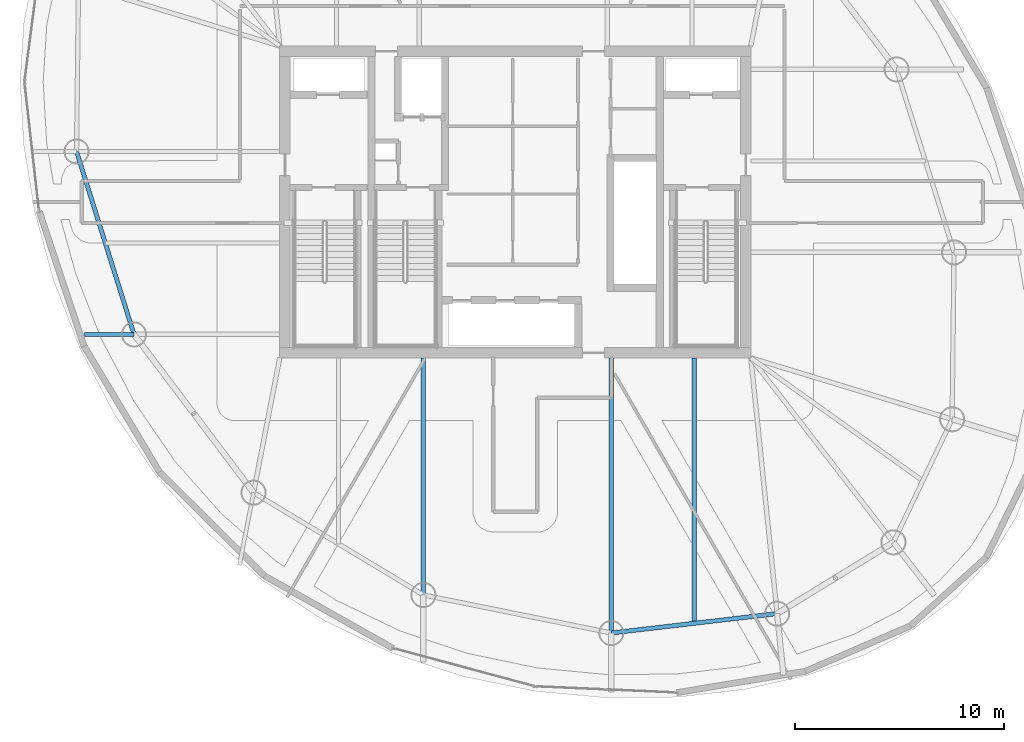
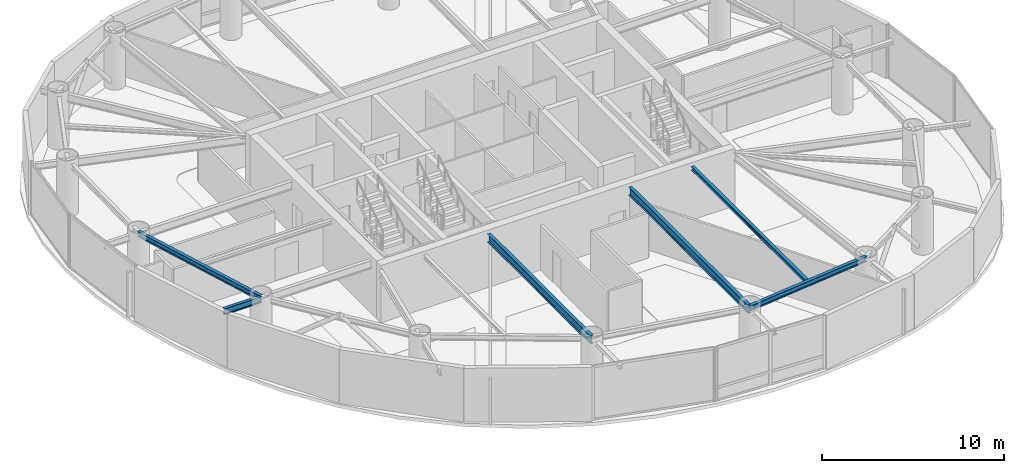
# One storey, part 3 of 20: 6 beams.
"""IFC4 building model written with IfcOpenShell, lengths in metres."""

from ifc_helpers import new_model, si_unit, direction, frame, origin, origin_2d, place, context, subcontext, project, spatial, i_section, extrude, material, material_profile, profile_set, type_object, element, save


model = new_model("IFC4")

# Units and contexts
model_context = context("Model", 3, precision=1e-05, world=origin(), true_north=direction((0.0, 1.0)))
body_context = subcontext(model_context, "Body", "Model", "MODEL_VIEW")
ifc_project = project(units=[si_unit("LENGTHUNIT", "METRE"), si_unit("AREAUNIT", "SQUARE_METRE"), si_unit("VOLUMEUNIT", "CUBIC_METRE"), si_unit("PLANEANGLEUNIT", "RADIAN"), si_unit("MASSUNIT", "GRAM", prefix="KILO")], contexts=[model_context])

# Site, building, storey
site_placement = place(None, origin())
site = spatial("IfcSite", under=ifc_project, at=site_placement, CompositionType="ELEMENT")
building_placement = place(site_placement, origin())
building = spatial("IfcBuilding", under=site, at=building_placement, Name="Bramvorn Convention Spire", CompositionType="ELEMENT")
storey_placement = place(building_placement, frame((0.0, 0.0, 178.89990234375)))
storey = spatial("IfcBuildingStorey", under=building, at=storey_placement, Name="L45", CompositionType="ELEMENT", Elevation=178.89990234375)

# Beams
ifc_material = material(Name="Steel CSA G40.21 Grade 350 (350W)", Category="steel")
ifc_material_profile_1 = material_profile(ifc_material, i_section(OverallWidth=0.201904296875, OverallDepth=0.2470703125, WebThickness=0.00732421875, FlangeThickness=0.010986328125, FilletRadius=0.011962890625, at=origin_2d()))
ifc_profile_set_1 = profile_set([ifc_material_profile_1], Name="Steel CSA G40.21 Grade 350 (350W) - W250X49")
beam_type_1 = type_object("IfcBeamType", Name="BM-W250X49", PredefinedType="JOIST", material=ifc_profile_set_1)
beam_1_placement = place(storey_placement, frame((46.544189453125, 18.550048828125, 3.49658203125), z_axis=(0.0, -1.0, 0.0), x_axis=(1.0, 0.0, 0.0)))
element("IfcBeam", 1, at=beam_1_placement, inside=storey, type_object=beam_type_1, Name="L45 composite floor joist 15", PredefinedType="JOIST", context=body_context, shape_type="SweptSolid", body=[
    extrude(i_section(OverallWidth=0.201904296875, OverallDepth=0.2470703125, WebThickness=0.00732421875, FlangeThickness=0.010986328125, FilletRadius=0.011962890625, at=origin_2d()), origin(), (0.0, 0.0, 1.0), 12.67626953125),
])
ifc_material_profile_2 = material_profile(ifc_material, i_section(OverallWidth=0.205078125, OverallDepth=0.35400390625, WebThickness=0.009521484375, FlangeThickness=0.016845703125, FilletRadius=0.014892578125, at=origin_2d()))
ifc_profile_set_2 = profile_set([ifc_material_profile_2], Name="Steel CSA G40.21 Grade 350 (350W) - W360X79")
beam_type_2 = type_object("IfcBeamType", Name="BM-W360X79", PredefinedType="JOIST", material=ifc_profile_set_2)
beam_2_placement = place(storey_placement, frame((17.04541015625, 28.406494140625, 3.443115234375), z_axis=(0.299747542929, -0.954018558786, 0.0), x_axis=(0.954018558786, 0.299747542929, 0.0)))
element("IfcBeam", 2, at=beam_2_placement, inside=storey, type_object=beam_type_2, Name="L45 mega-column ring beam 11", PredefinedType="JOIST", context=body_context, shape_type="SweptSolid", body=[
    extrude(i_section(OverallWidth=0.205078125, OverallDepth=0.35400390625, WebThickness=0.009521484375, FlangeThickness=0.016845703125, FilletRadius=0.014892578125, at=origin_2d()), origin(), (0.0, 0.0, 1.0), 9.15478515625),
])
beam_3_placement = place(storey_placement, frame((42.583740234375, 5.41162109375, 3.443115234375), z_axis=(0.993256148339, 0.115940604561, 0.0), x_axis=(-0.115940604561, 0.993256148339, 0.0)))
element("IfcBeam", 3, at=beam_3_placement, inside=storey, type_object=beam_type_2, Name="L45 mega-column ring beam 15", PredefinedType="JOIST", context=body_context, shape_type="SweptSolid", body=[
    extrude(i_section(OverallWidth=0.205078125, OverallDepth=0.35400390625, WebThickness=0.009521484375, FlangeThickness=0.016845703125, FilletRadius=0.014892578125, at=origin_2d()), origin(), (0.0, 0.0, 1.0), 7.974365234375),
])
ifc_material_profile_3 = material_profile(ifc_material, i_section(OverallWidth=0.180908203125, OverallDepth=0.4169921875, WebThickness=0.010986328125, FlangeThickness=0.018310546875, FilletRadius=0.01611328125, at=origin_2d()))
ifc_profile_set_3 = profile_set([ifc_material_profile_3], Name="Steel CSA G40.21 Grade 350 (350W) - W410X85")
beam_type_3 = type_object("IfcBeamType", Name="BM-W410X85", PredefinedType="JOIST", material=ifc_profile_set_3)
beam_4_placement = place(storey_placement, frame((19.78955078125, 19.672607421875, 3.376708984375), z_axis=(-1.0, 0.0, 0.0), x_axis=(0.0, -1.0, 0.0)))
element("IfcBeam", 4, at=beam_4_placement, inside=storey, type_object=beam_type_3, Name="L45 Sky-Garden cantilever tip girder MC12", PredefinedType="JOIST", context=body_context, shape_type="SweptSolid", body=[
    extrude(i_section(OverallWidth=0.180908203125, OverallDepth=0.4169921875, WebThickness=0.010986328125, FlangeThickness=0.018310546875, FilletRadius=0.01611328125, at=origin_2d()), origin(), (0.0, 0.0, 1.0), 2.37451171875),
])
ifc_material_profile_4 = material_profile(ifc_material, i_section(OverallWidth=0.2119140625, OverallDepth=0.5439453125, WebThickness=0.01318359375, FlangeThickness=0.021240234375, FilletRadius=0.01904296875, at=origin_2d()))
ifc_profile_set_4 = profile_set([ifc_material_profile_4], Name="Steel CSA G40.21 Grade 350 (350W) - W530X123")
beam_type_4 = type_object("IfcBeamType", Name="BM-W530X123", PredefinedType="BEAM", material=ifc_profile_set_4)
beam_5_placement = place(storey_placement, frame((33.61083984375, 18.550048828125, 3.34814453125), z_axis=(0.0, -1.0, 0.0), x_axis=(1.0, 0.0, 0.0)))
element("IfcBeam", 5, at=beam_5_placement, inside=storey, type_object=beam_type_4, Name="L45 radial floor girder MC14", PredefinedType="BEAM", context=body_context, shape_type="SweptSolid", body=[
    extrude(i_section(OverallWidth=0.2119140625, OverallDepth=0.5439453125, WebThickness=0.01318359375, FlangeThickness=0.021240234375, FilletRadius=0.01904296875, at=origin_2d()), origin(), (0.0, 0.0, 1.0), 11.322265625),
])
beam_6_placement = place(storey_placement, frame((42.583740234375, 18.550048828125, 3.34814453125), z_axis=(0.0, -1.0, 0.0), x_axis=(1.0, 0.0, 0.0)))
element("IfcBeam", 6, at=beam_6_placement, inside=storey, type_object=beam_type_4, Name="L45 radial floor girder MC15", PredefinedType="BEAM", context=body_context, shape_type="SweptSolid", body=[
    extrude(i_section(OverallWidth=0.2119140625, OverallDepth=0.5439453125, WebThickness=0.01318359375, FlangeThickness=0.021240234375, FilletRadius=0.01904296875, at=origin_2d()), origin(), (0.0, 0.0, 1.0), 13.138427734375),
])

save(model, "model.ifc")
